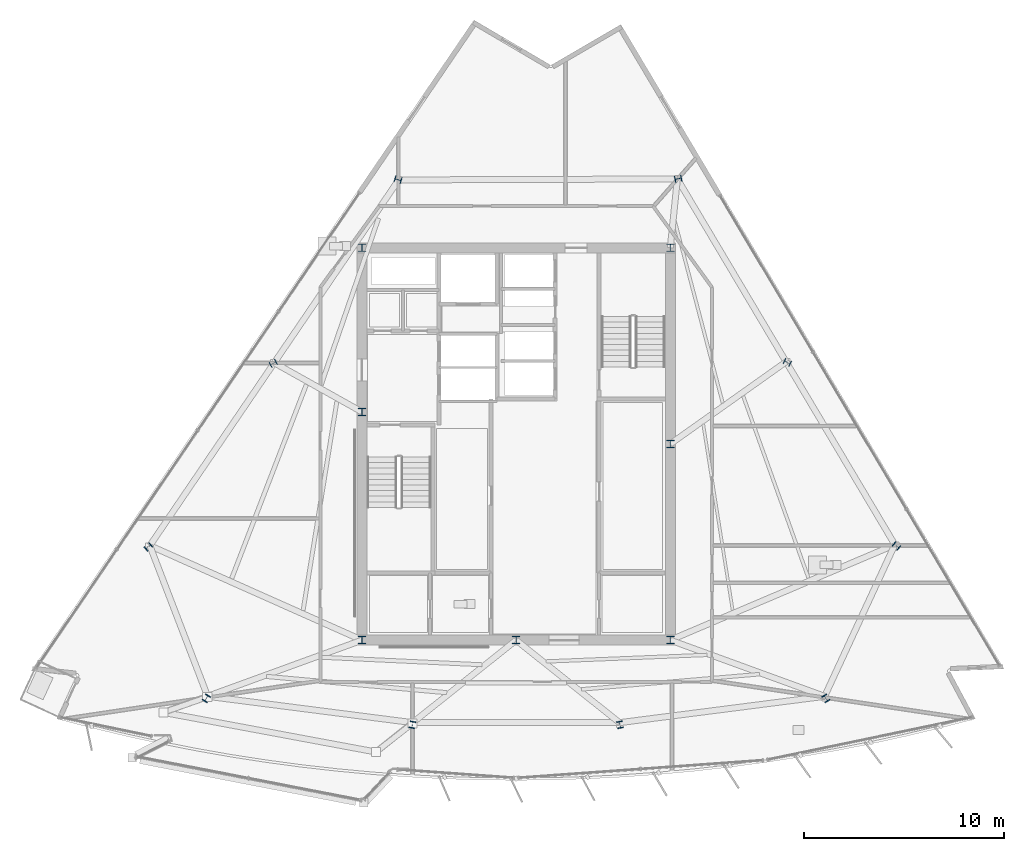
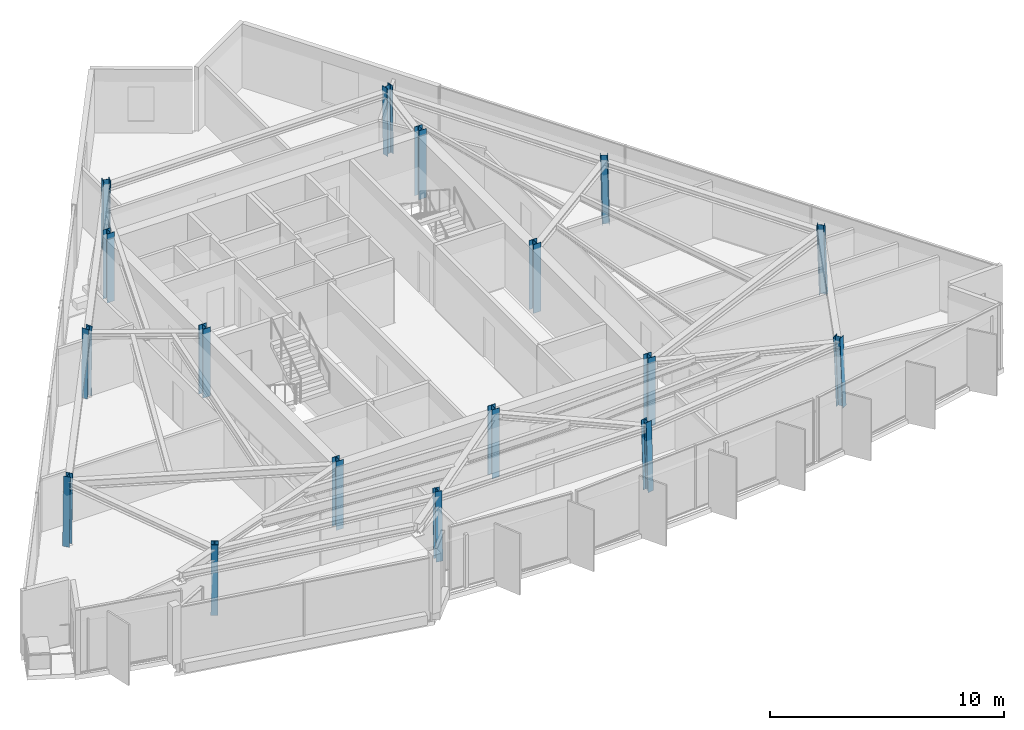
# One storey, part 1 of 13: 17 columns.
"""IFC4 building model written with IfcOpenShell, lengths in metres."""

from ifc_helpers import new_model, si_unit, direction, frame, origin, origin_2d, place, context, subcontext, project, spatial, i_section, extrude, material, material_profile, profile_set, type_object, element, save


model = new_model("IFC4")

# Units and contexts
model_context = context("Model", 3, precision=1e-05, world=origin(), true_north=direction((0.0, 1.0)))
body_context = subcontext(model_context, "Body", "Model", "MODEL_VIEW")
ifc_project = project(units=[si_unit("LENGTHUNIT", "METRE"), si_unit("AREAUNIT", "SQUARE_METRE"), si_unit("VOLUMEUNIT", "CUBIC_METRE"), si_unit("PLANEANGLEUNIT", "RADIAN"), si_unit("MASSUNIT", "GRAM", prefix="KILO")], contexts=[model_context])

# Site, building, storey
site_placement = place(None, origin())
site = spatial("IfcSite", under=ifc_project, at=site_placement, CompositionType="ELEMENT")
building_placement = place(site_placement, origin())
building = spatial("IfcBuilding", under=site, at=building_placement, Name="Savorim Split Tower", CompositionType="ELEMENT")
storey_placement = place(building_placement, frame((0.0, 0.0, 272.39990234375)))
storey = spatial("IfcBuildingStorey", under=building, at=storey_placement, Name="L72", CompositionType="ELEMENT", Elevation=272.39990234375)

# Columns
ifc_material = material(Name="Steel S355", Category="steel")
ifc_material_profile_1 = material_profile(ifc_material, i_section(OverallWidth=0.30908203125, OverallDepth=0.330078125, WebThickness=0.011474609375, FlangeThickness=0.01904296875, FilletRadius=0.027099609375, at=origin_2d()), Name="HD 320x158")
ifc_profile_set_1 = profile_set([ifc_material_profile_1], Name="Steel S355")
column_type_1 = type_object("IfcColumnType", Name="COL-HD-158", PredefinedType="COLUMN", material=ifc_profile_set_1)
column_1_placement = place(storey_placement, frame((-15.4833984375, -12.326904296875, 0.005615234375), z_axis=(0.020596292833, 0.033511459955, 0.999226087917), x_axis=(-0.851954850327, 0.523615252838, 0.0)))
element("IfcColumn", 1, at=column_1_placement, inside=storey, type_object=column_type_1, Name="L72 Tapered Perimeter Column PC-S1", PredefinedType="COLUMN", context=body_context, shape_type="SweptSolid", body=[
    extrude(i_section(OverallWidth=0.30908203125, OverallDepth=0.330078125, WebThickness=0.011474609375, FlangeThickness=0.01904296875, FilletRadius=0.027099609375, at=origin_2d()), origin(), (0.0, 0.0, 1.0), 3.591552734375),
])
for number, where, z_axis, x_axis, name in (
    (2, (-5.189208984375, -13.6484375, 0.005615234375), (0.006866308162, 0.0352833063, 0.999353762243), (-0.981585848295, 0.191021523464, 0.0), "L72 Tapered Perimeter Column PC-S2"),
    (3, (5.189208984375, -13.6484375, 0.005615234375), (-0.006866308162, 0.0352833063, 0.999353762243), (-0.981585848295, -0.191021523464, 0.0), "L72 Tapered Perimeter Column PC-S3"),
):
    element("IfcColumn", number, at=place(storey_placement, frame(where, z_axis=z_axis, x_axis=x_axis)), inside=storey, type_object=column_type_1, Name=name, PredefinedType="COLUMN", context=body_context, shape_type="SweptSolid", body=[
        extrude(i_section(OverallWidth=0.30908203125, OverallDepth=0.330078125, WebThickness=0.011474609375, FlangeThickness=0.01904296875, FilletRadius=0.027099609375, at=origin_2d()), origin(), (0.0, 0.0, 1.0), 3.59130859375),
    ])
column_2_placement = place(storey_placement, frame((15.4833984375, -12.326904296875, 0.005615234375), z_axis=(-0.020596292833, 0.033511459955, 0.999226087917), x_axis=(-0.851954850327, -0.523615252838, 0.0)))
element("IfcColumn", 4, at=column_2_placement, inside=storey, type_object=column_type_1, Name="L72 Tapered Perimeter Column PC-S4", PredefinedType="COLUMN", context=body_context, shape_type="SweptSolid", body=[
    extrude(i_section(OverallWidth=0.30908203125, OverallDepth=0.330078125, WebThickness=0.011474609375, FlangeThickness=0.01904296875, FilletRadius=0.027099609375, at=origin_2d()), origin(), (0.0, 0.0, 1.0), 3.591552734375),
])
column_3_placement = place(storey_placement, frame((19.010498046875, -4.707763671875, 0.005615234375), z_axis=(-0.026107436898, 0.021620221181, 0.999425318758), x_axis=(-0.637813971185, -0.770190455771, 0.0)))
element("IfcColumn", 5, at=column_3_placement, inside=storey, type_object=column_type_1, Name="L72 Tapered Perimeter Column PC-E1", PredefinedType="COLUMN", context=body_context, shape_type="SweptSolid", body=[
    extrude(i_section(OverallWidth=0.30908203125, OverallDepth=0.330078125, WebThickness=0.011474609375, FlangeThickness=0.01904296875, FilletRadius=0.027099609375, at=origin_2d()), origin(), (0.0, 0.0, 1.0), 3.5908203125),
])
column_4_placement = place(storey_placement, frame((13.5537109375, 4.46923828125, 0.005615234375), z_axis=(-0.018907326549, 0.00952167524, 0.999775900241), x_axis=(-0.449781931574, -0.893138406984, 0.0)))
element("IfcColumn", 6, at=column_4_placement, inside=storey, type_object=column_type_1, Name="L72 Tapered Perimeter Column PC-E2", PredefinedType="COLUMN", context=body_context, shape_type="SweptSolid", body=[
    extrude(i_section(OverallWidth=0.30908203125, OverallDepth=0.330078125, WebThickness=0.011474609375, FlangeThickness=0.01904296875, FilletRadius=0.027099609375, at=origin_2d()), origin(), (0.0, 0.0, 1.0), 3.589599609375),
])
for number, where, z_axis, x_axis, name in (
    (7, (8.096923828125, 13.64599609375, 0.005615234375), (-0.011767855299, -0.002516824544, 0.999927588966), (0.209143047003, -0.977885057607, 0.0), "L72 Tapered Perimeter Column PC-E3"),
    (8, (-5.900634765625, 13.597412109375, 0.005615234375), (0.008775143007, -0.002584925847, 0.999958156636), (0.282568886397, 0.959247009086, 0.0), "L72 Tapered Perimeter Column PC-W1"),
):
    element("IfcColumn", number, at=place(storey_placement, frame(where, z_axis=z_axis, x_axis=x_axis)), inside=storey, type_object=column_type_1, Name=name, PredefinedType="COLUMN", context=body_context, shape_type="SweptSolid", body=[
        extrude(i_section(OverallWidth=0.30908203125, OverallDepth=0.330078125, WebThickness=0.011474609375, FlangeThickness=0.01904296875, FilletRadius=0.027099609375, at=origin_2d()), origin(), (0.0, 0.0, 1.0), 3.589111328125),
    ])
column_5_placement = place(storey_placement, frame((-12.1435546875, 4.42041015625, 0.005615234375), z_axis=(0.017003572908, 0.009522000828, 0.999810086971), x_axis=(-0.488603368932, 0.87250601595, 0.0)))
element("IfcColumn", 9, at=column_5_placement, inside=storey, type_object=column_type_1, Name="L72 Tapered Perimeter Column PC-W2", PredefinedType="COLUMN", context=body_context, shape_type="SweptSolid", body=[
    extrude(i_section(OverallWidth=0.30908203125, OverallDepth=0.330078125, WebThickness=0.011474609375, FlangeThickness=0.01904296875, FilletRadius=0.027099609375, at=origin_2d()), origin(), (0.0, 0.0, 1.0), 3.589599609375),
])
column_6_placement = place(storey_placement, frame((-18.386474609375, -4.756591796875, 0.005615234375), z_axis=(0.025224163578, 0.021620711639, 0.999447990843), x_axis=(-0.650791373456, 0.759256602365, 0.0)))
element("IfcColumn", 10, at=column_6_placement, inside=storey, type_object=column_type_1, Name="L72 Tapered Perimeter Column PC-W3", PredefinedType="COLUMN", context=body_context, shape_type="SweptSolid", body=[
    extrude(i_section(OverallWidth=0.30908203125, OverallDepth=0.330078125, WebThickness=0.011474609375, FlangeThickness=0.01904296875, FilletRadius=0.027099609375, at=origin_2d()), origin(), (0.0, 0.0, 1.0), 3.5908203125),
])
ifc_material_profile_2 = material_profile(ifc_material, i_section(OverallWidth=0.3740234375, OverallDepth=0.3720703125, WebThickness=0.01220703125, FlangeThickness=0.02001953125, FilletRadius=0.014892578125, at=origin_2d()), Name="HD 360x196")
ifc_profile_set_2 = profile_set([ifc_material_profile_2], Name="Steel S355")
column_type_2 = type_object("IfcColumnType", Name="COL-HD-196", PredefinedType="COLUMN", material=ifc_profile_set_2)
for number, where, z_axis, x_axis, name in (
    (11, (-7.699951171875, -9.39990234375, 0.0), (0.0, 0.0, 1.0), (1.0, 0.0, 0.0), "L72 Core Structural Column TC-C1"),
    (12, (7.699951171875, -9.39990234375, 0.0), (0.0, 0.0, 1.0), (1.0, 0.0, 0.0), "L72 Core Structural Column TC-C2"),
    (13, (7.699951171875, 10.199951171875, 0.0), (0.0, 0.0, 1.0), (1.0, 0.0, 0.0), "L72 Core Structural Column TC-C3"),
    (14, (-7.699951171875, 10.199951171875, 0.0), (0.0, 0.0, 1.0), (1.0, 0.0, 0.0), "L72 Core Structural Column TC-C4"),
    (15, (0.0, -9.39990234375, 0.0), (0.0, 0.0, 1.0), (1.0, 0.0, 0.0), "L72 Core Structural Column TC-C5"),
    (16, (7.699951171875, 0.39990234375, 0.0), (0.0, 0.0, 1.0), (1.0, 0.0, 0.0), "L72 Core Structural Column TC-C6"),
    (17, (-7.699951171875, 2.0, 0.0), (0.0, 0.0, 1.0), (1.0, 0.0, 0.0), "L72 Core Structural Column TC-C7"),
):
    element("IfcColumn", number, at=place(storey_placement, frame(where, z_axis=z_axis, x_axis=x_axis)), inside=storey, type_object=column_type_2, Name=name, PredefinedType="COLUMN", context=body_context, shape_type="SweptSolid", body=[
        extrude(i_section(OverallWidth=0.3740234375, OverallDepth=0.3720703125, WebThickness=0.01220703125, FlangeThickness=0.02001953125, FilletRadius=0.014892578125, at=origin_2d()), origin(), (0.0, 0.0, 1.0), 3.60009765625),
    ])

save(model, "model.ifc")
